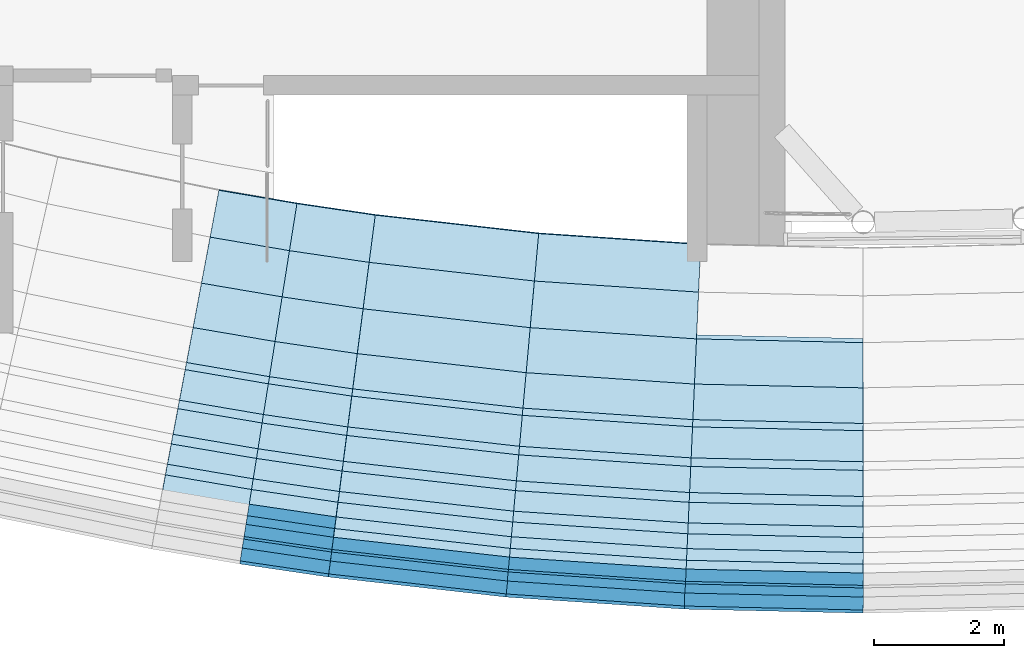
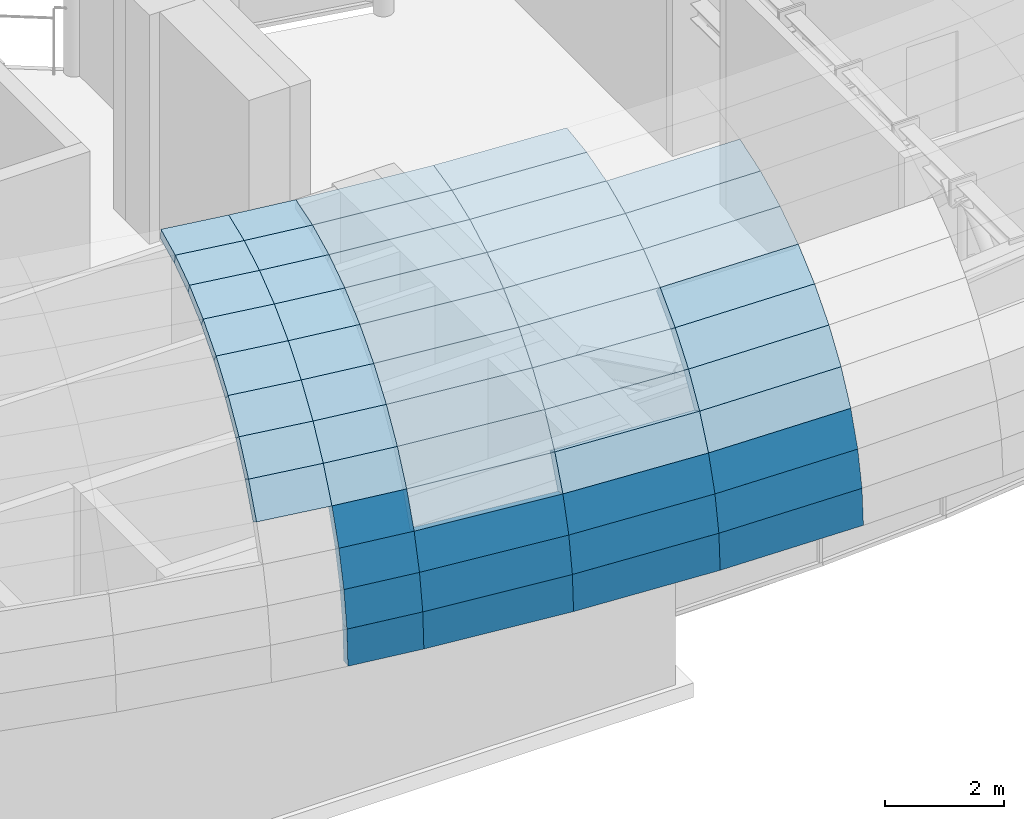
# One storey, part 9 of 20: 54 plates.
"""IFC4 building model written with IfcOpenShell, lengths in metres."""

from ifc_helpers import new_model, si_unit, direction, frame, origin, place, context, subcontext, project, spatial, polyline, outline, extrude, material, layer, layer_set, type_object, element, save


model = new_model("IFC4")

# Units and contexts
model_context = context("Model", 3, precision=1e-05, world=origin(), true_north=direction((0.0, 1.0)))
body_context = subcontext(model_context, "Body", "Model", "MODEL_VIEW")
ifc_project = project(units=[si_unit("LENGTHUNIT", "METRE"), si_unit("AREAUNIT", "SQUARE_METRE"), si_unit("VOLUMEUNIT", "CUBIC_METRE"), si_unit("PLANEANGLEUNIT", "RADIAN"), si_unit("MASSUNIT", "GRAM", prefix="KILO")], contexts=[model_context])

# Site, building, storey
site_placement = place(None, origin())
site = spatial("IfcSite", under=ifc_project, at=site_placement, CompositionType="ELEMENT")
building_placement = place(site_placement, origin())
building = spatial("IfcBuilding", under=site, at=building_placement, Name="Brevane Broadcast Tower", CompositionType="ELEMENT")
storey_placement = place(building_placement, frame((0.0, 0.0, 264.199951171875)))
storey = spatial("IfcBuildingStorey", under=building, at=storey_placement, Name="L66", CompositionType="ELEMENT", Elevation=264.199951171875)

# Plates
ifc_material = material(Name="Aluminium bronze anodised", Category="aluminium")
ifc_layer = layer(ifc_material, 0.199951171875)
ifc_layer_set = layer_set([ifc_layer], Name="Canopy shoulder plate 200")
plate_type = type_object("IfcPlateType", Name="Canopy shoulder plate 200", PredefinedType="SHEET", material=ifc_layer_set)
plate_1_placement = place(storey_placement, frame((15.616943359375, -2.177490234375, 7.949951171875), z_axis=(-0.139604549078, -0.819677060712, 0.555553855193), x_axis=(0.985808094538, -0.167876143524, 3.4327236e-05)))
element("IfcPlate", 1, at=plate_1_placement, inside=storey, type_object=plate_type, Name="Canopy shoulder", PredefinedType="SHEET", context=body_context, shape_type="SweptSolid", body=[
    extrude(outline(polyline([(0.0, 0.0), (1.351443288386003, 1.3877787807814457e-17), (1.3470593125517463, 0.7325302018524791), (0.006974008871170165, 0.7326413201900467), (0.0, 0.0)])), origin(), (0.0, 0.0, -1.0), 0.199951171875),
])
plate_2_placement = place(storey_placement, frame((15.692138671875, -1.77734375, 8.55908203125), z_axis=(-0.126259252749, -0.741239571618, 0.659259052697), x_axis=(0.985797044041, -0.167941022889, -2.8112956e-05)))
element("IfcPlate", 2, at=plate_2_placement, inside=storey, type_object=plate_type, Name="Canopy shoulder", PredefinedType="SHEET", context=body_context, shape_type="SweptSolid", body=[
    extrude(outline(polyline([(0.0, 0.0), (1.3400853096707492, 2.7755575615628914e-17), (1.3345620924099644, 0.7325537047965716), (0.008123815857174877, 0.7324540076618824), (0.0, 0.0)])), origin(), (0.0, 0.0, -1.0), 0.199951171875),
])
plate_3_placement = place(storey_placement, frame((15.78125, -1.302734375, 9.10986328125), z_axis=(-0.110694145905, -0.649885696739, 0.751927780599), x_axis=(0.985807093681, -0.167882022306, 2.5200858e-05)))
element("IfcPlate", 3, at=plate_3_placement, inside=storey, type_object=plate_type, Name="Canopy shoulder", PredefinedType="SHEET", context=body_context, shape_type="SweptSolid", body=[
    extrude(outline(polyline([(0.0, 0.0), (1.326438280785493, 0.0), (1.320330959682232, 0.732469000243313), (0.009224431834060303, 0.7325698251912228), (0.0, 0.0)])), origin(), (0.0, 0.0, -1.0), 0.199951171875),
])
plate_4_placement = place(storey_placement, frame((15.8828125, -0.76123046875, 9.5927734375), z_axis=(-0.093309432583, -0.547724286462, 0.831439387935), x_axis=(0.985794797764, -0.167954209809, -1.0399439e-05)))
element("IfcPlate", 4, at=plate_4_placement, inside=storey, type_object=plate_type, Name="Canopy shoulder", PredefinedType="SHEET", context=body_context, shape_type="SweptSolid", body=[
    extrude(outline(polyline([(0.0, 0.0), (1.3111065323760422, -2.7755575615628914e-17), (1.304170315845603, 0.7325137810653891), (0.010162243323918681, 0.732465021207888), (0.0, 0.0)])), origin(), (0.0, 0.0, -1.0), 0.199951171875),
])
plate_5_placement = place(storey_placement, frame((15.9951171875, -0.16259765625, 9.999755859375), z_axis=(-0.074255678479, -0.435994716594, 0.896880539044), x_axis=(0.985801933481, -0.167912321986, -8.355427e-06)))
element("IfcPlate", 5, at=plate_5_placement, inside=storey, type_object=plate_type, Name="Canopy shoulder", PredefinedType="SHEET", context=body_context, shape_type="SweptSolid", body=[
    extrude(outline(polyline([(0.0, 0.0), (1.2940080734881099, 2.7755575615628914e-17), (1.2866072864861235, 0.7325462980980881), (0.011182710360541508, 0.7324977563306437), (0.0, 0.0)])), origin(), (0.0, 0.0, -1.0), 0.199951171875),
])
plate_6_placement = place(storey_placement, frame((16.116455078125, 0.483154296875, 10.32373046875), z_axis=(-0.054003979434, -0.317044614469, 0.946871840664), x_axis=(0.985807618349, -0.167878942794, 1.3116507e-05)))
element("IfcPlate", 6, at=plate_6_placement, inside=storey, type_object=plate_type, Name="Canopy shoulder", PredefinedType="SHEET", context=body_context, shape_type="SweptSolid", body=[
    extrude(outline(polyline([(0.0, 0.0), (1.2754245769839154, 2.7755575615628914e-17), (1.267521435898974, 0.732496663495595), (0.011643057183092973, 0.7325998995178427), (0.0, 0.0)])), origin(), (0.0, 0.0, -1.0), 0.199951171875),
])
plate_7_placement = place(storey_placement, frame((16.244384765625, 1.1650390625, 10.559326171875), z_axis=(-0.032744109551, -0.192185380448, 0.980812215886), x_axis=(0.98579380643, -0.167960028593, -5.31806e-07)))
element("IfcPlate", 7, at=plate_7_placement, inside=storey, type_object=plate_type, Name="Canopy shoulder", PredefinedType="SHEET", context=body_context, shape_type="SweptSolid", body=[
    extrude(outline(polyline([(0.0, 0.0), (1.2558783830830882, -2.7755575615628914e-17), (1.247624191320117, 0.7325948664541372), (0.012055020279880608, 0.7325880701744831), (0.0, 0.0)])), origin(), (0.0, 0.0, -1.0), 0.199951171875),
])
plate_8_placement = place(storey_placement, frame((16.376953125, 1.871337890625, 10.7021484375), z_axis=(-0.010971649329, -0.064398245412, 0.997863963123), x_axis=(0.985794732662, -0.167954592242, -1.87332e-07)))
element("IfcPlate", 8, at=plate_8_placement, inside=storey, type_object=plate_type, Name="Canopy shoulder", PredefinedType="SHEET", context=body_context, shape_type="SweptSolid", body=[
    extrude(outline(polyline([(0.0, 0.0), (1.235569171059094, 2.7755575615628914e-17), (1.2274348347245627, 0.7325054841102371), (0.012174875669789805, 0.73249845602152), (0.0, 0.0)])), origin(), (0.0, 0.0, -1.0), 0.199951171875),
])
plate_9_placement = place(storey_placement, frame((16.831787109375, -3.145263671875, 5.150146484375), z_axis=(-0.145431361848, -0.987210813426, 0.065303360139), x_axis=(0.989322604816, -0.145742181891, 4.22323e-06)))
element("IfcPlate", 9, at=plate_9_placement, inside=storey, type_object=plate_type, Name="Canopy shoulder", PredefinedType="SHEET", context=body_context, shape_type="SweptSolid", body=[
    extrude(outline(polyline([(0.0, 0.0), (1.3725525329480075, 0.0), (1.3716911379731052, 0.7325148223532192), (0.00034627422042964035, 0.7325264352499155), (0.0, 0.0)])), origin(), (0.0, 0.0, -1.0), 0.199951171875),
])
plate_10_placement = place(storey_placement, frame((16.839111328125, -3.097900390625, 5.881103515625), z_axis=(-0.142960055056, -0.970292190185, 0.195180655612), x_axis=(0.989319224943, -0.145765123016, -8.34918e-06)))
element("IfcPlate", 10, at=plate_10_placement, inside=storey, type_object=plate_type, Name="Canopy shoulder", PredefinedType="SHEET", context=body_context, shape_type="SweptSolid", body=[
    extrude(outline(polyline([(0.0, 0.0), (1.371344865419934, 0.0), (1.368777688200982, 0.7323583702010494), (0.0016456455820937654, 0.7323350578045968), (0.0, 0.0)])), origin(), (0.0, 0.0, -1.0), 0.199951171875),
])
plate_11_placement = place(storey_placement, frame((16.861572265625, -2.956787109375, 6.599365234375), z_axis=(-0.137889290702, -0.93683357063, 0.321448914215), x_axis=(0.989339379636, -0.145628262729, -3.1544783e-05)))
element("IfcPlate", 11, at=plate_11_placement, inside=storey, type_object=plate_type, Name="Canopy shoulder", PredefinedType="SHEET", context=body_context, shape_type="SweptSolid", body=[
    extrude(outline(polyline([(0.0, 0.0), (1.3671320374933753, 1.3877787807814457e-17), (1.3632774369791556, 0.7325238138317375), (0.0026031546577025833, 0.7324329429770846), (0.0, 0.0)])), origin(), (0.0, 0.0, -1.0), 0.199951171875),
])
plate_12_placement = place(storey_placement, frame((16.8984375, -2.724365234375, 7.29296875), z_axis=(-0.130542285033, -0.887316174888, 0.442299352928), x_axis=(0.989351488992, -0.145545975504, 1.5613451e-05)))
element("IfcPlate", 12, at=plate_12_placement, inside=storey, type_object=plate_type, Name="Canopy shoulder", PredefinedType="SHEET", context=body_context, shape_type="SweptSolid", body=[
    extrude(outline(polyline([(0.0, 0.0), (1.3606742911220633, 1.3877787807814457e-17), (1.355225711202764, 0.7325065012834164), (0.0036661014699158946, 0.7325537182146997), (0.0, 0.0)])), origin(), (0.0, 0.0, -1.0), 0.199951171875),
])
plate_13_placement = place(storey_placement, frame((16.94921875, -2.404296875, 7.949951171875), z_axis=(-0.12106008821, -0.822680611904, 0.555464729609), x_axis=(0.989345353803, -0.14558767426, -3.458625e-06)))
element("IfcPlate", 13, at=plate_13_placement, inside=storey, type_object=plate_type, Name="Canopy shoulder", PredefinedType="SHEET", context=body_context, shape_type="SweptSolid", body=[
    extrude(outline(polyline([(0.0, 0.0), (1.3515596113849226, -1.3877787807814457e-17), (1.3447344639842096, 0.7325389502721927), (0.004776011131650687, 0.7325277554400373), (0.0, 0.0)])), origin(), (0.0, 0.0, -1.0), 0.199951171875),
])
plate_14_placement = place(storey_placement, frame((17.01318359375, -2.00244140625, 8.55908203125), z_axis=(-0.109462161282, -0.74386078783, 0.659309611318), x_axis=(0.989346096353, -0.145582628134, 4.176345e-06)))
element("IfcPlate", 14, at=plate_14_placement, inside=storey, type_object=plate_type, Name="Canopy shoulder", PredefinedType="SHEET", context=body_context, shape_type="SweptSolid", body=[
    extrude(outline(polyline([(0.0, 0.0), (1.339958452898867, 0.0), (1.3318186970411245, 0.7325395988500374), (0.005429261799597616, 0.7325544093444394), (0.0, 0.0)])), origin(), (0.0, 0.0, -1.0), 0.199951171875),
])
plate_15_placement = place(storey_placement, frame((17.0888671875, -1.525390625, 9.10986328125), z_axis=(-0.096008905132, -0.652286820818, 0.751867138211), x_axis=(0.989342751596, -0.145605356056, 1.2315454e-05)))
element("IfcPlate", 15, at=plate_15_placement, inside=storey, type_object=plate_type, Name="Canopy shoulder", PredefinedType="SHEET", context=body_context, shape_type="SweptSolid", body=[
    extrude(outline(polyline([(0.0, 0.0), (1.3263894351734375, -2.7755575615628914e-17), (1.3171618763804596, 0.7324180276736421), (0.006309316586677846, 0.73246728917883), (0.0, 0.0)])), origin(), (0.0, 0.0, -1.0), 0.199951171875),
])
plate_16_placement = place(storey_placement, frame((17.17529296875, -0.9814453125, 9.5927734375), z_axis=(-0.080867035279, -0.549614653812, 0.831495192361), x_axis=(0.989340555431, -0.145620273578, -3.6077962e-05)))
element("IfcPlate", 16, at=plate_16_placement, inside=storey, type_object=plate_type, Name="Canopy shoulder", PredefinedType="SHEET", context=body_context, shape_type="SweptSolid", body=[
    extrude(outline(polyline([(0.0, 0.0), (1.3108525596655183, 0.0), (1.3006224180103247, 0.7326839583497886), (0.006827065701771475, 0.7325148044635796), (0.0, 0.0)])), origin(), (0.0, 0.0, -1.0), 0.199951171875),
])
plate_17_placement = place(storey_placement, frame((17.270751953125, -0.3798828125, 9.999755859375), z_axis=(-0.06439575593, -0.437613717353, 0.896854180457), x_axis=(0.989357179525, -0.145507284523, 3.8378344e-05)))
element("IfcPlate", 17, at=plate_17_placement, inside=storey, type_object=plate_type, Name="Canopy shoulder", PredefinedType="SHEET", context=body_context, shape_type="SweptSolid", body=[
    extrude(outline(polyline([(0.0, 0.0), (1.293795363431956, 2.7755575615628914e-17), (1.282844297574963, 0.7323221744802569), (0.007519847548673824, 0.7325450835808157), (0.0, 0.0)])), origin(), (0.0, 0.0, -1.0), 0.199951171875),
])
plate_18_placement = place(storey_placement, frame((17.373779296875, 0.26904296875, 10.32373046875), z_axis=(-0.046842071947, -0.318184855604, 0.946870750398), x_axis=(0.989332089237, -0.145677785173, -1.0666859e-05)))
element("IfcPlate", 18, at=plate_18_placement, inside=storey, type_object=plate_type, Name="Canopy shoulder", PredefinedType="SHEET", context=body_context, shape_type="SweptSolid", body=[
    extrude(outline(polyline([(0.0, 0.0), (1.2753244706278166, 0.0), (1.2634995811071235, 0.7325829523304762), (0.007683257078859921, 0.7324990029601314), (0.0, 0.0)])), origin(), (0.0, 0.0, -1.0), 0.199951171875),
])
plate_19_placement = place(storey_placement, frame((17.482421875, 0.9541015625, 10.559326171875), z_axis=(-0.028385609168, -0.192873146549, 0.980813033423), x_axis=(0.989341886083, -0.145611237339, -1.453291e-06)))
element("IfcPlate", 19, at=plate_19_placement, inside=storey, type_object=plate_type, Name="Canopy shoulder", PredefinedType="SHEET", context=body_context, shape_type="SweptSolid", body=[
    extrude(outline(polyline([(0.0, 0.0), (1.2558163269150096, -2.7755575615628914e-17), (1.243831430612228, 0.7326161916126482), (0.008006321378078052, 0.7325976172849645), (0.0, 0.0)])), origin(), (0.0, 0.0, -1.0), 0.199951171875),
])
plate_20_placement = place(storey_placement, frame((17.594970703125, 1.663818359375, 10.7021484375), z_axis=(-0.009514122724, -0.064633561485, 0.997863710232), x_axis=(0.989344053085, -0.145596513075, 2.324523e-06)))
element("IfcPlate", 20, at=plate_20_placement, inside=storey, type_object=plate_type, Name="Canopy shoulder", PredefinedType="SHEET", context=body_context, shape_type="SweptSolid", body=[
    extrude(outline(polyline([(0.0, 0.0), (1.2358251093717827, 0.0), (1.2235231593660287, 0.7324151191901596), (0.0084138846173061, 0.7325023264240111), (0.0, 0.0)])), origin(), (0.0, 0.0, -1.0), 0.199951171875),
])
plate_21_placement = place(storey_placement, frame((18.189697265625, -3.34521484375, 5.150146484375), z_axis=(-0.111958986087, -0.99156063174, 0.065365885737), x_axis=(0.993685741039, -0.112199144588, -3.161156e-06)))
element("IfcPlate", 21, at=plate_21_placement, inside=storey, type_object=plate_type, Name="Canopy shoulder", PredefinedType="SHEET", context=body_context, shape_type="SweptSolid", body=[
    extrude(outline(polyline([(0.0, 0.0), (2.7448858445690822, 0.0), (2.7436388135037935, 0.7325323246124067), (0.0007485461362452891, 0.7325149397144989), (0.0, 0.0)])), origin(), (0.0, 0.0, -1.0), 0.199951171875),
])
plate_22_placement = place(storey_placement, frame((18.19580078125, -3.2978515625, 5.881103515625), z_axis=(-0.110014449019, -0.974575972926, 0.195188355194), x_axis=(0.993688898078, -0.112171180875, 4.092884e-06)))
element("IfcPlate", 22, at=plate_22_placement, inside=storey, type_object=plate_type, Name="Canopy shoulder", PredefinedType="SHEET", context=body_context, shape_type="SweptSolid", body=[
    extrude(outline(polyline([(0.0, 0.0), (2.742890270031805, 6.938893903907228e-18), (2.7397852296050327, 0.7323364285578526), (0.002286926887553285, 0.7323592990472533), (0.0, 0.0)])), origin(), (0.0, 0.0, -1.0), 0.199951171875),
])
plate_23_placement = place(storey_placement, frame((18.214111328125, -3.156005859375, 6.599365234375), z_axis=(-0.106246221922, -0.940905036976, 0.321573400206), x_axis=(0.993685106702, -0.112204762392, 3.925262e-06)))
element("IfcPlate", 23, at=plate_23_placement, inside=storey, type_object=plate_type, Name="Canopy shoulder", PredefinedType="SHEET", context=body_context, shape_type="SweptSolid", body=[
    extrude(outline(polyline([(0.0, 0.0), (2.7374983032132807, -1.3877787807814457e-17), (2.7322817454238066, 0.7324997692829263), (0.004111775487927944, 0.7325224269335662), (0.0, 0.0)])), origin(), (0.0, 0.0, -1.0), 0.199951171875),
])
plate_24_placement = place(storey_placement, frame((18.24462890625, -2.92236328125, 7.29296875), z_axis=(-0.100642735642, -0.891223201793, 0.442258119596), x_axis=(0.993684018642, -0.112214397876, -2.254254e-06)))
element("IfcPlate", 24, at=plate_24_placement, inside=storey, type_object=plate_type, Name="Canopy shoulder", PredefinedType="SHEET", context=body_context, shape_type="SweptSolid", body=[
    extrude(outline(polyline([(0.0, 0.0), (2.7281699701991617, 0.0), (2.720820091788418, 0.7325203253978775), (0.00542962729155957, 0.7325066434557763), (0.0, 0.0)])), origin(), (0.0, 0.0, -1.0), 0.199951171875),
])
plate_25_placement = place(storey_placement, frame((18.286376953125, -2.60107421875, 7.949951171875), z_axis=(-0.093319981982, -0.826307385657, 0.555434501424), x_axis=(0.993683602603, -0.112218081735, 7.032601e-06)))
element("IfcPlate", 25, at=plate_25_placement, inside=storey, type_object=plate_type, Name="Canopy shoulder", PredefinedType="SHEET", context=body_context, shape_type="SweptSolid", body=[
    extrude(outline(polyline([(0.0, 0.0), (2.7153904643492806, 0.0), (2.706305520757746, 0.7324926826333089), (0.006875740183208704, 0.732538476387859), (0.0, 0.0)])), origin(), (0.0, 0.0, -1.0), 0.199951171875),
])
plate_26_placement = place(storey_placement, frame((18.3388671875, -2.197509765625, 8.55908203125), z_axis=(-0.084381194914, -0.747113078784, 0.659319240926), x_axis=(0.993681899497, -0.11223316174, -4.242202e-06)))
element("IfcPlate", 26, at=plate_26_placement, inside=storey, type_object=plate_type, Name="Canopy shoulder", PredefinedType="SHEET", context=body_context, shape_type="SweptSolid", body=[
    extrude(outline(polyline([(0.0, 0.0), (2.6994297811260304, 0.0), (2.6883605828868733, 0.7325703922697627), (0.008100061188680185, 0.7325400386927041), (0.0, 0.0)])), origin(), (0.0, 0.0, -1.0), 0.199951171875),
])
plate_27_placement = place(storey_placement, frame((18.401123046875, -1.718505859375, 9.10986328125), z_axis=(-0.073989062538, -0.655168023205, 0.751851368287), x_axis=(0.993683421228, -0.112219688002, -1.391707e-06)))
element("IfcPlate", 27, at=plate_27_placement, inside=storey, type_object=plate_type, Name="Canopy shoulder", PredefinedType="SHEET", context=body_context, shape_type="SweptSolid", body=[
    extrude(outline(polyline([(0.0, 0.0), (2.680260521921753, -2.7755575615628914e-17), (2.6679454200593784, 0.7324282852062747), (0.009307539238225674, 0.7324170159570029), (0.0, 0.0)])), origin(), (0.0, 0.0, -1.0), 0.199951171875),
])
plate_28_placement = place(storey_placement, frame((18.47216796875, -1.17236328125, 9.5927734375), z_axis=(-0.062334362934, -0.551965275403, 0.831533981234), x_axis=(0.993683810601, -0.112216240121, 1.418353e-06)))
element("IfcPlate", 28, at=plate_28_placement, inside=storey, type_object=plate_type, Name="Canopy shoulder", PredefinedType="SHEET", context=body_context, shape_type="SweptSolid", body=[
    extrude(outline(polyline([(0.0, 0.0), (2.658637880845798, -2.7755575615628914e-17), (2.6448727355887294, 0.73266931309375), (0.010310878200025344, 0.7326828288055915), (0.0, 0.0)])), origin(), (0.0, 0.0, -1.0), 0.199951171875),
])
plate_29_placement = place(storey_placement, frame((18.55078125, -0.568115234375, 9.999755859375), z_axis=(-0.049642240867, -0.439591312179, 0.896825025397), x_axis=(0.993683368723, -0.112220152894, -2.603772e-06)))
element("IfcPlate", 29, at=plate_29_placement, inside=storey, type_object=plate_type, Name="Canopy shoulder", PredefinedType="SHEET", context=body_context, shape_type="SweptSolid", body=[
    extrude(outline(polyline([(0.0, 0.0), (2.634561857416172, 0.0), (2.6198445503528496, 0.7323510328970475), (0.011084303178546162, 0.7323201719935367), (0.0, 0.0)])), origin(), (0.0, 0.0, -1.0), 0.199951171875),
])
plate_30_placement = place(storey_placement, frame((18.635498046875, 0.083251953125, 10.32373046875), z_axis=(-0.036075965698, -0.319540786321, 0.946885531929), x_axis=(0.993684957339, -0.112206085013, -6.628256e-06)))
element("IfcPlate", 30, at=plate_30_placement, inside=storey, type_object=plate_type, Name="Canopy shoulder", PredefinedType="SHEET", context=body_context, shape_type="SweptSolid", body=[
    extrude(outline(polyline([(0.0, 0.0), (2.608760247304139, 0.0), (2.5930688022803894, 0.7326936378956539), (0.011593151990365449, 0.7325866561419688), (0.0, 0.0)])), origin(), (0.0, 0.0, -1.0), 0.199951171875),
])
plate_31_placement = place(storey_placement, frame((18.724853515625, 0.771240234375, 10.559326171875), z_axis=(-0.021878938889, -0.19374912875, 0.980807110059), x_axis=(0.993689417164, -0.11216658209, 8.862577e-06)))
element("IfcPlate", 31, at=plate_31_placement, inside=storey, type_object=plate_type, Name="Canopy shoulder", PredefinedType="SHEET", context=body_context, shape_type="SweptSolid", body=[
    extrude(outline(polyline([(0.0, 0.0), (2.5814756524660005, 5.551115123125783e-17), (2.5655021729860747, 0.7323783454622897), (0.01225412842020514, 0.7326117373810085), (0.0, 0.0)])), origin(), (0.0, 0.0, -1.0), 0.199951171875),
])
plate_32_placement = place(storey_placement, frame((18.817626953125, 1.48388671875, 10.7021484375), z_axis=(-0.007330840367, -0.064912801139, 0.997864012292), x_axis=(0.993679174808, -0.112257282824, -2.436474e-06)))
element("IfcPlate", 32, at=plate_32_placement, inside=storey, type_object=plate_type, Name="Canopy shoulder", PredefinedType="SHEET", context=body_context, shape_type="SweptSolid", body=[
    extrude(outline(polyline([(0.0, 0.0), (2.553248055331967, 5.551115123125783e-17), (2.53675287608622, 0.732605001150575), (0.01227241484899581, 0.7324156146584232), (0.0, 0.0)])), origin(), (0.0, 0.0, -1.0), 0.199951171875),
])
plate_33_placement = place(storey_placement, frame((20.917236328125, -3.6533203125, 5.150146484375), z_axis=(-0.06730148452, -0.995582514406, 0.065467298638), x_axis=(0.997722921063, -0.067446073155, 1.567628e-06)))
element("IfcPlate", 33, at=plate_33_placement, inside=storey, type_object=plate_type, Name="Canopy shoulder", PredefinedType="SHEET", context=body_context, shape_type="SweptSolid", body=[
    extrude(outline(polyline([(0.0, 0.0), (2.7447710275902577, 0.0), (2.7437370357516695, 0.7325242030711008), (0.0009146857416118536, 0.7325328240701442), (0.0, 0.0)])), origin(), (0.0, 0.0, -1.0), 0.199951171875),
])
plate_34_placement = place(storey_placement, frame((20.92138671875, -3.60546875, 5.881103515625), z_axis=(-0.066165561832, -0.978542334855, 0.195133332171), x_axis=(0.997721796646, -0.067462704478, -1.481698e-06)))
element("IfcPlate", 34, at=plate_34_placement, inside=storey, type_object=plate_type, Name="Canopy shoulder", PredefinedType="SHEET", context=body_context, shape_type="SweptSolid", body=[
    extrude(outline(polyline([(0.0, 0.0), (2.742822350731981, 0.0), (2.7395193051843534, 0.73234382524616), (0.003306674647293453, 0.7323355478508163), (0.0, 0.0)])), origin(), (0.0, 0.0, -1.0), 0.199951171875),
])
plate_35_placement = place(storey_placement, frame((20.934326171875, -3.463134765625, 6.599365234375), z_axis=(-0.063868642737, -0.94473954574, 0.321540024243), x_axis=(0.997722590439, -0.067450963863, -1.260437e-06)))
element("IfcPlate", 35, at=plate_35_placement, inside=storey, type_object=plate_type, Name="Canopy shoulder", PredefinedType="SHEET", context=body_context, shape_type="SweptSolid", body=[
    extrude(outline(polyline([(0.0, 0.0), (2.736212630607821, 1.3877787807814457e-17), (2.731054789766644, 0.7325059631249748), (0.005365700242921993, 0.7324986926521677), (0.0, 0.0)])), origin(), (0.0, 0.0, -1.0), 0.199951171875),
])
plate_36_placement = place(storey_placement, frame((20.95556640625, -3.228515625, 7.29296875), z_axis=(-0.060493667985, -0.894839091402, 0.442270863422), x_axis=(0.997722763441, -0.067448404809, 9.95581e-07)))
element("IfcPlate", 36, at=plate_36_placement, inside=storey, type_object=plate_type, Name="Canopy shoulder", PredefinedType="SHEET", context=body_context, shape_type="SweptSolid", body=[
    extrude(outline(polyline([(0.0, 0.0), (2.725689089547617, 1.3877787807814457e-17), (2.7182261348051373, 0.7325156019411213), (0.007217992382930019, 0.7325216369332388), (0.0, 0.0)])), origin(), (0.0, 0.0, -1.0), 0.199951171875),
])
plate_37_placement = place(storey_placement, frame((20.984619140625, -2.90576171875, 7.949951171875), z_axis=(-0.05605219996, -0.829625155304, 0.555500002311), x_axis=(0.997724513808, -0.067422504933, -1.9355848e-05)))
element("IfcPlate", 37, at=plate_37_placement, inside=storey, type_object=plate_type, Name="Canopy shoulder", PredefinedType="SHEET", context=body_context, shape_type="SweptSolid", body=[
    extrude(outline(polyline([(0.0, 0.0), (2.711008140790144, 1.3877787807814457e-17), (2.701841918250407, 0.7326170082964221), (0.009201422373646698, 0.7324912234263266), (0.0, 0.0)])), origin(), (0.0, 0.0, -1.0), 0.199951171875),
])
plate_38_placement = place(storey_placement, frame((21.021240234375, -2.50048828125, 8.55908203125), z_axis=(-0.050647410375, -0.750129213128, 0.659348923889), x_axis=(0.997728329441, -0.067366019843, -1.30934e-06)))
element("IfcPlate", 38, at=plate_38_placement, inside=storey, type_object=plate_type, Name="Canopy shoulder", PredefinedType="SHEET", context=body_context, shape_type="SweptSolid", body=[
    extrude(outline(polyline([(0.0, 0.0), (2.69264050046638, 1.3877787807814457e-17), (2.6818036465160024, 0.7325852571202948), (0.010697396320582425, 0.7325759160421351), (0.0, 0.0)])), origin(), (0.0, 0.0, -1.0), 0.199951171875),
])
plate_39_placement = place(storey_placement, frame((21.064453125, -2.019287109375, 9.10986328125), z_axis=(-0.044407494102, -0.657818169277, 0.751866497881), x_axis=(0.99772882883, -0.067358623084, -4.108496e-06)))
element("IfcPlate", 39, at=plate_39_placement, inside=storey, type_object=plate_type, Name="Canopy shoulder", PredefinedType="SHEET", context=body_context, shape_type="SweptSolid", body=[
    extrude(outline(polyline([(0.0, 0.0), (2.671106250177226, 0.0), (2.658883075739733, 0.7324583885675411), (0.012494140521848301, 0.7324252528198877), (0.0, 0.0)])), origin(), (0.0, 0.0, -1.0), 0.199951171875),
])
plate_40_placement = place(storey_placement, frame((21.114013671875, -1.470703125, 9.5927734375), z_axis=(-0.037426246237, -0.554258751916, 0.831502562845), x_axis=(0.997729169427, -0.067353576979, 1.1963955e-05)))
element("IfcPlate", 40, at=plate_40_placement, inside=storey, type_object=plate_type, Name="Canopy shoulder", PredefinedType="SHEET", context=body_context, shape_type="SweptSolid", body=[
    extrude(outline(polyline([(0.0, 0.0), (2.6463889351916507, -2.7755575615628914e-17), (2.632681206548865, 0.7325573404256716), (0.013689034544384256, 0.7326707381062458), (0.0, 0.0)])), origin(), (0.0, 0.0, -1.0), 0.199951171875),
])
plate_41_placement = place(storey_placement, frame((21.168701171875, -0.86376953125, 9.999755859375), z_axis=(-0.029819535994, -0.441383048428, 0.896823170884), x_axis=(0.997726092483, -0.067399142189, 3.222805e-06)))
element("IfcPlate", 41, at=plate_41_placement, inside=storey, type_object=plate_type, Name="Canopy shoulder", PredefinedType="SHEET", context=body_context, shape_type="SweptSolid", body=[
    extrude(outline(polyline([(0.0, 0.0), (2.6189921747193274, 2.7755575615628914e-17), (2.6042363738522325, 0.7323104177027893), (0.014849680170008917, 0.732348360741899), (0.0, 0.0)])), origin(), (0.0, 0.0, -1.0), 0.199951171875),
])
plate_42_placement = place(storey_placement, frame((21.227783203125, -0.20947265625, 10.32373046875), z_axis=(-0.02168744481, -0.320843021421, 0.946884053273), x_axis=(0.997724906562, -0.067416694928, 8.372463e-06)))
element("IfcPlate", 42, at=plate_42_placement, inside=storey, type_object=plate_type, Name="Canopy shoulder", PredefinedType="SHEET", context=body_context, shape_type="SweptSolid", body=[
    extrude(outline(polyline([(0.0, 0.0), (2.5893866938760994, 0.0), (2.5738400314169154, 0.7325632578254541), (0.015520328920904913, 0.7326972824155672), (0.0, 0.0)])), origin(), (0.0, 0.0, -1.0), 0.199951171875),
])
plate_43_placement = place(storey_placement, frame((21.2900390625, 0.481689453125, 10.559326171875), z_axis=(-0.013145829469, -0.194537677257, 0.980806953123), x_axis=(0.997721490591, -0.067467230033, -9.218582e-06)))
element("IfcPlate", 43, at=plate_43_placement, inside=storey, type_object=plate_type, Name="Canopy shoulder", PredefinedType="SHEET", context=body_context, shape_type="SweptSolid", body=[
    extrude(outline(polyline([(0.0, 0.0), (2.558319705996083, 2.7755575615628914e-17), (2.5420288662404067, 0.732612176630432), (0.01627059348380193, 0.732371804961376), (0.0, 0.0)])), origin(), (0.0, 0.0, -1.0), 0.199951171875),
])
plate_44_placement = place(storey_placement, frame((21.354736328125, 1.197265625, 10.7021484375), z_axis=(-0.004400737062, -0.065169037643, 0.997864534917), x_axis=(0.997727908169, -0.067372258842, 1.53238e-07)))
element("IfcPlate", 44, at=plate_44_placement, inside=storey, type_object=plate_type, Name="Canopy shoulder", PredefinedType="SHEET", context=body_context, shape_type="SweptSolid", body=[
    extrude(outline(polyline([(0.0, 0.0), (2.525758284308894, 0.0), (2.509429060476596, 0.7325940334593026), (0.016459323536884708, 0.7326058076186723), (0.0, 0.0)])), origin(), (0.0, 0.0, -1.0), 0.199951171875),
])
plate_45_placement = place(storey_placement, frame((23.65576171875, -3.83837890625, 5.150146484375), z_axis=(-0.022375349495, -0.997612060522, 0.065341567447), x_axis=(0.999748567753, -0.022423230691, 5.85189e-07)))
element("IfcPlate", 45, at=plate_45_placement, inside=storey, type_object=plate_type, Name="Canopy shoulder", PredefinedType="SHEET", context=body_context, shape_type="SweptSolid", body=[
    extrude(outline(polyline([(0.0, 0.0), (2.7448302137897196, 0.0), (2.743757654913157, 0.7325208547069988), (0.0011241542850051393, 0.7325240727898205), (0.0, 0.0)])), origin(), (0.0, 0.0, -1.0), 0.199951171875),
])
plate_46_placement = place(storey_placement, frame((23.657958984375, -3.79052734375, 5.881103515625), z_axis=(-0.022026782789, -0.980541465573, 0.195072435601), x_axis=(0.999747804309, -0.022457242791, 4.97236e-06)))
element("IfcPlate", 46, at=plate_46_placement, inside=storey, type_object=plate_type, Name="Canopy shoulder", PredefinedType="SHEET", context=body_context, shape_type="SweptSolid", body=[
    extrude(outline(polyline([(0.0, 0.0), (2.7426334998492194, 1.734723475976807e-18), (2.7394296770103415, 0.732316753059685), (0.0031422325595705717, 0.7323445298539973), (0.0, 0.0)])), origin(), (0.0, 0.0, -1.0), 0.199951171875),
])
plate_47_placement = place(storey_placement, frame((23.664306640625, -3.647705078125, 6.599365234375), z_axis=(-0.021289770839, -0.946654104529, 0.321547433571), x_axis=(0.999747206157, -0.022483856033, -1.42073e-07)))
element("IfcPlate", 47, at=plate_47_placement, inside=storey, type_object=plate_type, Name="Canopy shoulder", PredefinedType="SHEET", context=body_context, shape_type="SweptSolid", body=[
    extrude(outline(polyline([(0.0, 0.0), (2.736287445484541, 0.0), (2.730990247071072, 0.732504683879789), (0.005447762750329626, 0.7325038643791517), (0.0, 0.0)])), origin(), (0.0, 0.0, -1.0), 0.199951171875),
])
plate_48_placement = place(storey_placement, frame((23.675048828125, -3.412353515625, 7.29296875), z_axis=(-0.02017852506, -0.896675655511, 0.442227990905), x_axis=(0.999746952288, -0.022495140734, 5.820226e-06)))
element("IfcPlate", 48, at=plate_48_placement, inside=storey, type_object=plate_type, Name="Canopy shoulder", PredefinedType="SHEET", context=body_context, shape_type="SweptSolid", body=[
    extrude(outline(polyline([(0.0, 0.0), (2.7255424840850804, 0.0), (2.71825845343906, 0.7324837143467595), (0.007122113232333271, 0.732518994316637), (0.0, 0.0)])), origin(), (0.0, 0.0, -1.0), 0.199951171875),
])
plate_49_placement = place(storey_placement, frame((23.689453125, -3.088623046875, 7.949951171875), z_axis=(-0.018705898649, -0.831210504426, 0.555643038909), x_axis=(0.99974677436, -0.022503046803, -6.491666e-06)))
element("IfcPlate", 49, at=plate_49_placement, inside=storey, type_object=plate_type, Name="Canopy shoulder", PredefinedType="SHEET", context=body_context, shape_type="SweptSolid", body=[
    extrude(outline(polyline([(0.0, 0.0), (2.711136340488553, -6.938893903907228e-18), (2.70196854781916, 0.7326594213021361), (0.009149105321470657, 0.7326172276656657), (0.0, 0.0)])), origin(), (0.0, 0.0, -1.0), 0.199951171875),
])
plate_50_placement = place(storey_placement, frame((23.707763671875, -2.681884765625, 8.55908203125), z_axis=(-0.016904692643, -0.751642862155, 0.659353652555), x_axis=(0.999747189258, -0.022484607421, 3.6822e-08)))
element("IfcPlate", 50, at=plate_50_placement, inside=storey, type_object=plate_type, Name="Canopy shoulder", PredefinedType="SHEET", context=body_context, shape_type="SweptSolid", body=[
    extrude(outline(polyline([(0.0, 0.0), (2.6928194430145393, 6.938893903907228e-18), (2.6819559286060746, 0.73258449614704), (0.01087048682659378, 0.7325847588492893), (0.0, 0.0)])), origin(), (0.0, 0.0, -1.0), 0.199951171875),
])
plate_51_placement = place(storey_placement, frame((23.7294921875, -2.19921875, 9.10986328125), z_axis=(-0.01483372763, -0.659162419204, 0.751854284841), x_axis=(0.999747054888, -0.022490580205, 6.690464e-06)))
element("IfcPlate", 51, at=plate_51_placement, inside=storey, type_object=plate_type, Name="Canopy shoulder", PredefinedType="SHEET", context=body_context, shape_type="SweptSolid", body=[
    extrude(outline(polyline([(0.0, 0.0), (2.671085441673743, -6.938893903907228e-18), (2.658701282688108, 0.7323993694714768), (0.012522867566852206, 0.7324533257568502), (0.0, 0.0)])), origin(), (0.0, 0.0, -1.0), 0.199951171875),
])
plate_52_placement = place(storey_placement, frame((23.75439453125, -1.64892578125, 9.5927734375), z_axis=(-0.012521081054, -0.55546194966, 0.831447680259), x_axis=(0.99974640845, -0.022519295437, 1.1178173e-05)))
element("IfcPlate", 52, at=plate_52_placement, inside=storey, type_object=plate_type, Name="Canopy shoulder", PredefinedType="SHEET", context=body_context, shape_type="SweptSolid", body=[
    extrude(outline(polyline([(0.0, 0.0), (2.646178415538953, 6.938893903907228e-18), (2.632465767076687, 0.7324527681459587), (0.013635163143505099, 0.7325586948131597), (0.0, 0.0)])), origin(), (0.0, 0.0, -1.0), 0.199951171875),
])
plate_53_placement = place(storey_placement, frame((23.78173828125, -1.040283203125, 9.999755859375), z_axis=(-0.00995255392, -0.442204411369, 0.896859077691), x_axis=(0.999745742615, -0.022548826272, -2.3601299e-05)))
element("IfcPlate", 53, at=plate_53_placement, inside=storey, type_object=plate_type, Name="Canopy shoulder", PredefinedType="SHEET", context=body_context, shape_type="SweptSolid", body=[
    extrude(outline(polyline([(0.0, 0.0), (2.6188306054103108, 6.938893903907228e-18), (2.6040032716093617, 0.7325888665535476), (0.014728191140822692, 0.7323109703262446), (0.0, 0.0)])), origin(), (0.0, 0.0, -1.0), 0.199951171875),
])
plate_54_placement = place(storey_placement, frame((23.811279296875, -0.384033203125, 10.32373046875), z_axis=(-0.007215023468, -0.321518529952, 0.94687579879), x_axis=(0.999748186942, -0.022440202816, -1.831698e-06)))
element("IfcPlate", 54, at=plate_54_placement, inside=storey, type_object=plate_type, Name="Canopy shoulder", PredefinedType="SHEET", context=body_context, shape_type="SweptSolid", body=[
    extrude(outline(polyline([(0.0, 0.0), (2.589275096293551, -6.938893903907228e-18), (2.573704582623483, 0.7325895607320261), (0.015688052867297318, 0.7325602438883909), (0.0, 0.0)])), origin(), (0.0, 0.0, -1.0), 0.199951171875),
])

save(model, "model.ifc")
